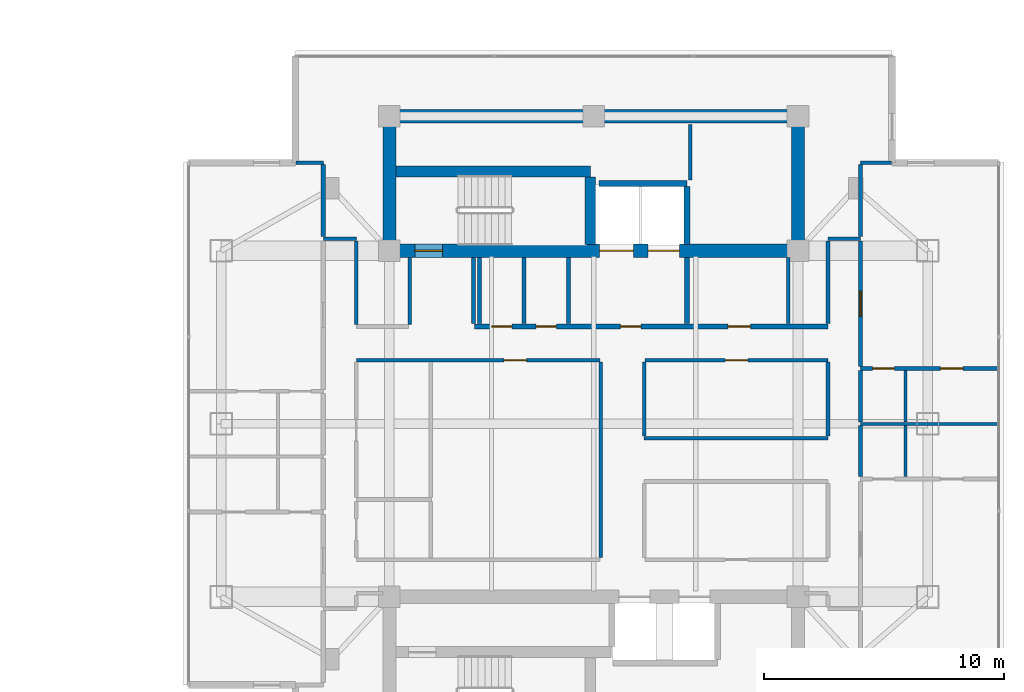
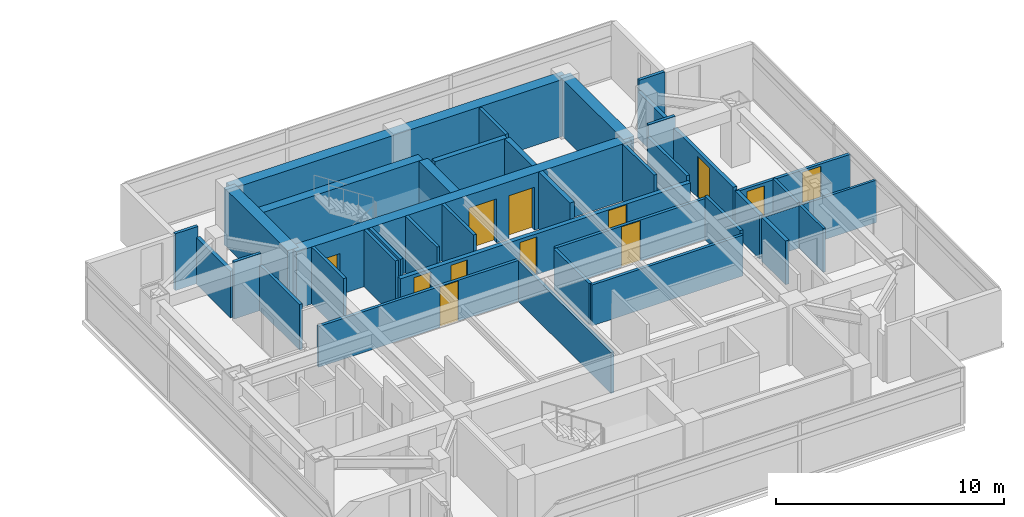
# One storey, part 17 of 24: 38 walls, 12 doors, 12 openings.
"""IFC4 building model written with IfcOpenShell, lengths in metres."""

from ifc_helpers import new_model, si_unit, direction, frame, frame_2d, origin, place, context, subcontext, project, spatial, rectangle, extrude, material, layer, layer_set, type_object, element, fill, save


model = new_model("IFC4")

# Units and contexts
model_context = context("Model", 3, precision=1e-05, world=origin(), true_north=direction((0.0, 1.0)))
body_context = subcontext(model_context, "Body", "Model", "MODEL_VIEW")
ifc_project = project(units=[si_unit("LENGTHUNIT", "METRE"), si_unit("AREAUNIT", "SQUARE_METRE"), si_unit("VOLUMEUNIT", "CUBIC_METRE"), si_unit("PLANEANGLEUNIT", "RADIAN"), si_unit("MASSUNIT", "GRAM", prefix="KILO")], contexts=[model_context])

# Site, building, storey
site_placement = place(None, origin())
site = spatial("IfcSite", under=ifc_project, at=site_placement, CompositionType="ELEMENT")
building_placement = place(site_placement, origin())
building = spatial("IfcBuilding", under=site, at=building_placement, Name="Mirazonda Arch Towers", CompositionType="ELEMENT")
storey_placement = place(building_placement, frame((0.0, 0.0, 190.14990234375)))
storey = spatial("IfcBuildingStorey", under=building, at=storey_placement, Name="L54", CompositionType="ELEMENT", Elevation=190.14990234375)

# Walls
ifc_material_1 = material(Name="Concrete C50/60", Category="concrete")
ifc_layer_1 = layer(ifc_material_1, 0.449951171875, Name="WALL-CORE-450")
ifc_layer_set_1 = layer_set([ifc_layer_1], Name="Concrete C50/60")
wall_type_1 = type_object("IfcWallType", Name="WALL-CORE-450", PredefinedType="SHEAR", material=ifc_layer_set_1)
wall_1_placement = place(storey_placement, frame((68.27001953125, 38.5, 0.0), z_axis=(0.0, 0.0, 1.0), x_axis=(1.0, 0.0, 0.0)))
element("IfcWall", 1, at=wall_1_placement, inside=storey, type_object=wall_type_1, Name="L54 Stair Core Shear Wall 052", PredefinedType="SHEAR", context=body_context, shape_type="SweptSolid", body=[
    extrude(rectangle(XDim=8.090087890625, YDim=0.449951171875, at=frame_2d((4.044921875, 0.0))), origin(), (0.0, 0.0, 1.0), 3.050048828125),
])
wall_2_placement = place(storey_placement, frame((76.360107421875, 35.469970703125, 0.0), z_axis=(0.0, 0.0, 1.0), x_axis=(0.0, 1.0, 0.0)))
element("IfcWall", 2, at=wall_2_placement, inside=storey, type_object=wall_type_1, Name="L54 Stair Core Shear Wall 139", PredefinedType="SHEAR", context=body_context, shape_type="SweptSolid", body=[
    extrude(rectangle(XDim=2.794921875, YDim=0.449951171875, at=frame_2d((1.3974609375, 0.0))), origin(), (0.0, 0.0, 1.0), 3.050048828125),
])
ifc_layer_2 = layer(ifc_material_1, 0.550048828125, Name="WALL-CORE-550")
ifc_layer_set_2 = layer_set([ifc_layer_2], Name="Concrete C50/60")
wall_type_2 = type_object("IfcWallType", Name="WALL-CORE-550", PredefinedType="SHEAR", material=ifc_layer_set_2)
wall_3_placement = place(storey_placement, frame((68.0, 40.800048828125, 0.0), z_axis=(0.0, 0.0, 1.0), x_axis=(1.0, 0.0, 0.0)))
element("IfcWall", 3, at=wall_3_placement, inside=storey, type_object=wall_type_2, Name="L54 T2N-N Core Shear Wall", PredefinedType="SHEAR", context=body_context, shape_type="SweptSolid", body=[
    extrude(rectangle(XDim=17.0, YDim=0.550048828125, at=frame_2d((8.5, 0.0))), origin(), (0.0, 0.0, 1.0), 3.050048828125),
])
for number, where, z_axis, x_axis, name in (
    (4, (68.0, 35.199951171875, 0.0), (0.0, 0.0, 1.0), (0.0, 1.0, 0.0), "L54 T2N-W Core Shear Wall"),
    (5, (85.0, 35.199951171875, 0.0), (0.0, 0.0, 1.0), (0.0, 1.0, 0.0), "L54 T2N-E Core Shear Wall"),
):
    element("IfcWall", number, at=place(storey_placement, frame(where, z_axis=z_axis, x_axis=x_axis)), inside=storey, type_object=wall_type_2, Name=name, PredefinedType="SHEAR", context=body_context, shape_type="SweptSolid", body=[
        extrude(rectangle(XDim=5.60009765625, YDim=0.550048828125, at=frame_2d((2.800048828125, 0.0))), origin(), (0.0, 0.0, 1.0), 3.050048828125),
    ])

# Wall, openings, doors
wall_4_placement = place(storey_placement, frame((68.0, 35.199951171875, 0.0), z_axis=(0.0, 0.0, 1.0), x_axis=(1.0, 0.0, 0.0)))
wall_4 = element("IfcWall", 6, at=wall_4_placement, inside=storey, type_object=wall_type_2, Name="L54 T2N-S Core Shear Wall", PredefinedType="SHEAR", context=body_context, shape_type="SweptSolid", body=[
    extrude(rectangle(XDim=17.0, YDim=0.550048828125, at=frame_2d((8.5, 0.0))), origin(), (0.0, 0.0, 1.0), 3.050048828125),
])
opening_1_placement = place(wall_4_placement, frame((1.06005859375, 0.0, 0.0)))
opening_1 = element("IfcOpeningElement", 7, at=opening_1_placement, cuts=wall_4, Name="Opening DR-135", PredefinedType="OPENING", context=body_context, shape_type="SweptSolid", body=[
    extrude(rectangle(XDim=1.14990234375, YDim=2.199951171875, at=frame_2d((0.574951171875, 1.10009765625))), frame((0.0, 0.284912109375, 0.0), z_axis=(0.0, -1.0, 0.0), x_axis=(1.0, 0.0, 0.0)), (0.0, 0.0, 1.0), 0.570068359375),
])
opening_2_placement = place(wall_4_placement, frame((8.75, 0.0, 0.0)))
opening_2 = element("IfcOpeningElement", 8, at=opening_2_placement, cuts=wall_4, Name="Opening LD-112", PredefinedType="OPENING", context=body_context, shape_type="SweptSolid", body=[
    extrude(rectangle(XDim=1.39990234375, YDim=2.35009765625, at=frame_2d((0.699951171875, 1.175048828125))), frame((0.0, 0.284912109375, 0.0), z_axis=(0.0, -1.0, 0.0), x_axis=(1.0, 0.0, 0.0)), (0.0, 0.0, 1.0), 0.570068359375),
])
opening_3_placement = place(wall_4_placement, frame((10.77001953125, 0.0, 0.0)))
opening_3 = element("IfcOpeningElement", 9, at=opening_3_placement, cuts=wall_4, Name="Opening LD-111", PredefinedType="OPENING", context=body_context, shape_type="SweptSolid", body=[
    extrude(rectangle(XDim=1.300048828125, YDim=2.300048828125, at=frame_2d((0.64990234375, 1.14990234375))), frame((0.0, 0.284912109375, 0.0), z_axis=(0.0, -1.0, 0.0), x_axis=(1.0, 0.0, 0.0)), (0.0, 0.0, 1.0), 0.570068359375),
])
ifc_material_2 = material(Name="Architectural Brushed Steel S355", Category="steel")
door_type_1 = type_object("IfcDoorType", Name="DOOR-LIFT-FFL-1400", OperationType="NOTDEFINED", PredefinedType="DOOR", material=ifc_material_2)
door_1_placement = place(opening_2_placement, origin())
door_1 = element("IfcDoor", 10, at=door_1_placement, inside=storey, type_object=door_type_1, Name="L54 Lift Landing Sliding Door FFL-T2", OperationType="DOUBLE_DOOR_SLIDING", OverallHeight=2.35009765625, OverallWidth=1.39990234375, PredefinedType="DOOR", context=body_context, shape_type="SweptSolid", body=[
    extrude(rectangle(XDim=1.39990234375, YDim=2.35009765625, at=frame_2d((0.699951171875, 1.175048828125))), frame((0.0, 0.02490234375, 0.0), z_axis=(0.0, -1.0, 0.0), x_axis=(1.0, 0.0, 0.0)), (0.0, 0.0, 1.0), 0.050048828125),
])
fill(opening_2, door_1)
door_type_2 = type_object("IfcDoorType", Name="DOOR-LIFT-LAND-1300", OperationType="NOTDEFINED", PredefinedType="DOOR", material=ifc_material_2)
door_2_placement = place(opening_3_placement, origin())
door_2 = element("IfcDoor", 11, at=door_2_placement, inside=storey, type_object=door_type_2, Name="L54 Lift Landing Sliding Door SVL-T2", OperationType="DOUBLE_DOOR_SLIDING", OverallHeight=2.300048828125, OverallWidth=1.300048828125, PredefinedType="DOOR", context=body_context, shape_type="SweptSolid", body=[
    extrude(rectangle(XDim=1.300048828125, YDim=2.300048828125, at=frame_2d((0.64990234375, 1.14990234375))), frame((0.0, 0.02490234375, 0.0), z_axis=(0.0, -1.0, 0.0), x_axis=(1.0, 0.0, 0.0)), (0.0, 0.0, 1.0), 0.050048828125),
])
fill(opening_3, door_2)
door_type_3 = type_object("IfcDoorType", Name="DOOR-STAIR-FD90-1150", OperationType="NOTDEFINED", PredefinedType="DOOR", material=ifc_material_2)
door_3_placement = place(opening_1_placement, origin())
door_3 = element("IfcDoor", 12, at=door_3_placement, inside=storey, type_object=door_type_3, Name="L54 East Protected Stair North Door", OperationType="SINGLE_SWING_LEFT", OverallHeight=2.199951171875, OverallWidth=1.14990234375, PredefinedType="DOOR", context=body_context, shape_type="SweptSolid", body=[
    extrude(rectangle(XDim=1.14990234375, YDim=2.199951171875, at=frame_2d((0.574951171875, 1.10009765625))), frame((0.0, 0.02490234375, 0.0), z_axis=(0.0, -1.0, 0.0), x_axis=(1.0, 0.0, 0.0)), (0.0, 0.0, 1.0), 0.050048828125),
])
fill(opening_1, door_3)

ifc_material_3 = material(Name="Concrete C40/50", Category="concrete")
ifc_layer_3 = layer(ifc_material_3, 0.219970703125, Name="WALL-FFL-220")
ifc_layer_set_3 = layer_set([ifc_layer_3], Name="Concrete C40/50")
wall_type_3 = type_object("IfcWallType", Name="WALL-FFL-220", PredefinedType="SOLIDWALL", material=ifc_layer_set_3)
wall_5_placement = place(storey_placement, frame((71.550048828125, 32.050048828125, 0.0), z_axis=(0.0, 0.0, 1.0), x_axis=(1.0, 0.0, 0.0)))
wall_5 = element("IfcWall", 13, at=wall_5_placement, inside=storey, type_object=wall_type_3, Name="L54 Interior Partition 043", PredefinedType="SOLIDWALL", context=body_context, shape_type="SweptSolid", body=[
    extrude(rectangle(XDim=14.699951171875, YDim=0.219970703125, at=frame_2d((7.35009765625, 0.0))), origin(), (0.0, 0.0, 1.0), 2.18603515625),
])
opening_4_placement = place(wall_5_placement, frame((6.06494140625, 0.0, 0.0)))
opening_4 = element("IfcOpeningElement", 14, at=opening_4_placement, cuts=wall_5, Name="Opening DR-128", PredefinedType="OPENING", context=body_context, shape_type="SweptSolid", body=[
    extrude(rectangle(XDim=0.85009765625, YDim=2.010009765625, at=frame_2d((0.425048828125, 1.0048828125))), frame((0.0, 0.119873046875, 0.0), z_axis=(0.0, -1.0, 0.0), x_axis=(1.0, 0.0, 0.0)), (0.0, 0.0, 1.0), 0.239990234375),
])
opening_5_placement = place(wall_5_placement, frame((10.534912109375, 0.0, 0.0)))
opening_5 = element("IfcOpeningElement", 15, at=opening_5_placement, cuts=wall_5, Name="Opening DR-104", PredefinedType="OPENING", context=body_context, shape_type="SweptSolid", body=[
    extrude(rectangle(XDim=0.949951171875, YDim=2.14990234375, at=frame_2d((0.47509765625, 1.074951171875))), frame((0.0, 0.119873046875, 0.0), z_axis=(0.0, -1.0, 0.0), x_axis=(1.0, 0.0, 0.0)), (0.0, 0.0, 1.0), 0.239990234375),
])
opening_6_placement = place(wall_5_placement, frame((0.699951171875, 0.0, 0.0)))
opening_6 = element("IfcOpeningElement", 16, at=opening_6_placement, cuts=wall_5, Name="Opening DR-128", PredefinedType="OPENING", context=body_context, shape_type="SweptSolid", body=[
    extrude(rectangle(XDim=0.85009765625, YDim=2.010009765625, at=frame_2d((0.425048828125, 1.0048828125))), frame((0.0, 0.119873046875, 0.0), z_axis=(0.0, -1.0, 0.0), x_axis=(1.0, 0.0, 0.0)), (0.0, 0.0, 1.0), 0.239990234375),
])
opening_7_placement = place(wall_5_placement, frame((2.550048828125, 0.0, 0.0)))
opening_7 = element("IfcOpeningElement", 17, at=opening_7_placement, cuts=wall_5, Name="Opening DR-128", PredefinedType="OPENING", context=body_context, shape_type="SweptSolid", body=[
    extrude(rectangle(XDim=0.85009765625, YDim=2.010009765625, at=frame_2d((0.425048828125, 1.0048828125))), frame((0.0, 0.119873046875, 0.0), z_axis=(0.0, -1.0, 0.0), x_axis=(1.0, 0.0, 0.0)), (0.0, 0.0, 1.0), 0.239990234375),
])
door_type_4 = type_object("IfcDoorType", Name="DOOR-RISER-FD60-850", OperationType="NOTDEFINED", PredefinedType="DOOR", material=ifc_material_2)
door_4_placement = place(opening_4_placement, origin())
door_4 = element("IfcDoor", 18, at=door_4_placement, inside=storey, type_object=door_type_4, Name="L54 East Firefighting Lift Lobby Door", OperationType="SINGLE_SWING_RIGHT", OverallHeight=2.010009765625, OverallWidth=0.85009765625, PredefinedType="DOOR", context=body_context, shape_type="SweptSolid", body=[
    extrude(rectangle(XDim=0.85009765625, YDim=2.010009765625, at=frame_2d((0.425048828125, 1.0048828125))), frame((0.0, 0.02490234375, 0.0), z_axis=(0.0, -1.0, 0.0), x_axis=(1.0, 0.0, 0.0)), (0.0, 0.0, 1.0), 0.050048828125),
])
fill(opening_4, door_4)
door_5_placement = place(opening_6_placement, origin())
door_5 = element("IfcDoor", 19, at=door_5_placement, inside=storey, type_object=door_type_4, Name="L54 Tower 2 Electrical Room Door", OperationType="SINGLE_SWING_RIGHT", OverallHeight=2.010009765625, OverallWidth=0.85009765625, PredefinedType="DOOR", context=body_context, shape_type="SweptSolid", body=[
    extrude(rectangle(XDim=0.85009765625, YDim=2.010009765625, at=frame_2d((0.425048828125, 1.0048828125))), frame((0.0, 0.02490234375, 0.0), z_axis=(0.0, -1.0, 0.0), x_axis=(1.0, 0.0, 0.0)), (0.0, 0.0, 1.0), 0.050048828125),
])
fill(opening_6, door_5)
door_6_placement = place(opening_7_placement, origin())
door_6 = element("IfcDoor", 20, at=door_6_placement, inside=storey, type_object=door_type_4, Name="L54 Tower 2 Cleaners Store Door", OperationType="SINGLE_SWING_LEFT", OverallHeight=2.010009765625, OverallWidth=0.85009765625, PredefinedType="DOOR", context=body_context, shape_type="SweptSolid", body=[
    extrude(rectangle(XDim=0.85009765625, YDim=2.010009765625, at=frame_2d((0.425048828125, 1.0048828125))), frame((0.0, 0.02490234375, 0.0), z_axis=(0.0, -1.0, 0.0), x_axis=(1.0, 0.0, 0.0)), (0.0, 0.0, 1.0), 0.050048828125),
])
fill(opening_7, door_6)
door_type_5 = type_object("IfcDoorType", Name="DOOR-ROOM-950", OperationType="NOTDEFINED", PredefinedType="DOOR", material=ifc_material_2)
door_7_placement = place(opening_5_placement, origin())
door_7 = element("IfcDoor", 21, at=door_7_placement, inside=storey, type_object=door_type_5, Name="L54 East Sky Reading Library Door", OperationType="SINGLE_SWING_LEFT", OverallHeight=2.14990234375, OverallWidth=0.949951171875, PredefinedType="DOOR", context=body_context, shape_type="SweptSolid", body=[
    extrude(rectangle(XDim=0.949951171875, YDim=2.14990234375, at=frame_2d((0.47509765625, 1.074951171875))), frame((0.0, 0.02490234375, 0.0), z_axis=(0.0, -1.0, 0.0), x_axis=(1.0, 0.0, 0.0)), (0.0, 0.0, 1.0), 0.050048828125),
])
fill(opening_5, door_7)

# Walls
wall_6_placement = place(storey_placement, frame((80.3798828125, 32.169921875, 0.0), z_axis=(0.0, 0.0, 1.0), x_axis=(0.0, 1.0, 0.0)))
element("IfcWall", 22, at=wall_6_placement, inside=storey, type_object=wall_type_3, Name="L54 Interior Partition 144", PredefinedType="SOLIDWALL", context=body_context, shape_type="SweptSolid", body=[
    extrude(rectangle(XDim=2.760009765625, YDim=0.219970703125, at=frame_2d((1.3798828125, 0.0))), origin(), (0.0, 0.0, 1.0), 3.050048828125),
])
ifc_material_4 = material(Name="Fire-Rated Gypsum Stud Partition")
ifc_layer_4 = layer(ifc_material_4, 0.14990234375, Name="WALL-PART-CORR-150")
ifc_layer_set_4 = layer_set([ifc_layer_4], Name="Fire-Rated Gypsum Stud Partition")
wall_type_4 = type_object("IfcWallType", Name="WALL-PART-CORR-150", PredefinedType="PARTITIONING", material=ifc_layer_set_4)
wall_7_placement = place(storey_placement, frame((78.60009765625, 27.39990234375, 0.0), z_axis=(0.0, 0.0, 1.0), x_axis=(1.0, 0.0, 0.0)))
element("IfcWall", 23, at=wall_7_placement, inside=storey, type_object=wall_type_4, Name="L54 Interior Partition 032", PredefinedType="PARTITIONING", context=body_context, shape_type="SweptSolid", body=[
    extrude(rectangle(XDim=7.64990234375, YDim=0.14990234375, at=frame_2d((3.824951171875, 0.0))), origin(), (0.0, 0.0, 1.0), 2.18603515625),
])

# Wall, openings, doors
wall_8_placement = place(storey_placement, frame((87.60009765625, 30.300048828125, 0.0), z_axis=(0.0, 0.0, 1.0), x_axis=(1.0, 0.0, 0.0)))
wall_8 = element("IfcWall", 24, at=wall_8_placement, inside=storey, type_object=wall_type_4, Name="L54 Interior Partition 038", PredefinedType="PARTITIONING", context=body_context, shape_type="SweptSolid", body=[
    extrude(rectangle(XDim=5.7529296875, YDim=0.14990234375, at=frame_2d((2.87646484375, 0.0))), origin(), (0.0, 0.0, 1.0), 2.26904296875),
])
opening_8_placement = place(wall_8_placement, frame((3.321533203125, 0.0, 0.0)))
opening_8 = element("IfcOpeningElement", 25, at=opening_8_placement, cuts=wall_8, Name="Opening DR-104", PredefinedType="OPENING", context=body_context, shape_type="SweptSolid", body=[
    extrude(rectangle(XDim=0.949951171875, YDim=2.14990234375, at=frame_2d((0.47509765625, 1.074951171875))), frame((0.0, 0.0849609375, 0.0), z_axis=(0.0, -1.0, 0.0), x_axis=(1.0, 0.0, 0.0)), (0.0, 0.0, 1.0), 0.169921875),
])
opening_9_placement = place(wall_8_placement, frame((0.510009765625, 0.0, 0.0)))
opening_9 = element("IfcOpeningElement", 26, at=opening_9_placement, cuts=wall_8, Name="Opening DR-120", PredefinedType="OPENING", context=body_context, shape_type="SweptSolid", body=[
    extrude(rectangle(XDim=0.89990234375, YDim=2.10009765625, at=frame_2d((0.449951171875, 1.050048828125))), frame((0.0, 0.0849609375, 0.0), z_axis=(0.0, -1.0, 0.0), x_axis=(1.0, 0.0, 0.0)), (0.0, 0.0, 1.0), 0.169921875),
])
door_8_placement = place(opening_8_placement, origin())
door_8 = element("IfcDoor", 27, at=door_8_placement, inside=storey, type_object=door_type_5, Name="L54 Studio 2 Galley Kitchen Door", OperationType="SINGLE_SWING_RIGHT", OverallHeight=2.14990234375, OverallWidth=0.949951171875, PredefinedType="DOOR", context=body_context, shape_type="SweptSolid", body=[
    extrude(rectangle(XDim=0.949951171875, YDim=2.14990234375, at=frame_2d((0.47509765625, 1.074951171875))), frame((0.0, 0.02490234375, 0.0), z_axis=(0.0, -1.0, 0.0), x_axis=(1.0, 0.0, 0.0)), (0.0, 0.0, 1.0), 0.050048828125),
])
fill(opening_8, door_8)
door_type_6 = type_object("IfcDoorType", Name="DOOR-WC-900", OperationType="NOTDEFINED", PredefinedType="DOOR", material=ifc_material_2)
door_9_placement = place(opening_9_placement, origin())
door_9 = element("IfcDoor", 28, at=door_9_placement, inside=storey, type_object=door_type_6, Name="L54 Studio 2 Bathroom Door", OperationType="SINGLE_SWING_LEFT", OverallHeight=2.10009765625, OverallWidth=0.89990234375, PredefinedType="DOOR", context=body_context, shape_type="SweptSolid", body=[
    extrude(rectangle(XDim=0.89990234375, YDim=2.10009765625, at=frame_2d((0.449951171875, 1.050048828125))), frame((0.0, 0.02490234375, 0.0), z_axis=(0.0, -1.0, 0.0), x_axis=(1.0, 0.0, 0.0)), (0.0, 0.0, 1.0), 0.050048828125),
])
fill(opening_9, door_9)

# Wall, opening, door
wall_9_placement = place(storey_placement, frame((66.6201171875, 30.64990234375, 0.0), z_axis=(0.0, 0.0, 1.0), x_axis=(1.0, 0.0, 0.0)))
wall_9 = element("IfcWall", 29, at=wall_9_placement, inside=storey, type_object=wall_type_4, Name="L54 Interior Partition 039", PredefinedType="PARTITIONING", context=body_context, shape_type="SweptSolid", body=[
    extrude(rectangle(XDim=10.139892578125, YDim=0.14990234375, at=frame_2d((5.06982421875, 0.0))), origin(), (0.0, 0.0, 1.0), 2.18603515625),
])
opening_10_placement = place(wall_9_placement, frame((6.139892578125, 0.0, 0.0)))
opening_10 = element("IfcOpeningElement", 30, at=opening_10_placement, cuts=wall_9, Name="Opening DR-104", PredefinedType="OPENING", context=body_context, shape_type="SweptSolid", body=[
    extrude(rectangle(XDim=0.949951171875, YDim=2.14990234375, at=frame_2d((0.47509765625, 1.074951171875))), frame((0.0, 0.0849609375, 0.0), z_axis=(0.0, -1.0, 0.0), x_axis=(1.0, 0.0, 0.0)), (0.0, 0.0, 1.0), 0.169921875),
])
door_10_placement = place(opening_10_placement, origin())
door_10 = element("IfcDoor", 31, at=door_10_placement, inside=storey, type_object=door_type_5, Name="L54 L54 East Courtyard Study Door", OperationType="SINGLE_SWING_LEFT", OverallHeight=2.14990234375, OverallWidth=0.949951171875, PredefinedType="DOOR", context=body_context, shape_type="SweptSolid", body=[
    extrude(rectangle(XDim=0.949951171875, YDim=2.14990234375, at=frame_2d((0.47509765625, 1.074951171875))), frame((0.0, 0.02490234375, 0.0), z_axis=(0.0, -1.0, 0.0), x_axis=(1.0, 0.0, 0.0)), (0.0, 0.0, 1.0), 0.050048828125),
])
fill(opening_10, door_10)

wall_10_placement = place(storey_placement, frame((78.639892578125, 30.64990234375, 0.0), z_axis=(0.0, 0.0, 1.0), x_axis=(1.0, 0.0, 0.0)))
wall_10 = element("IfcWall", 32, at=wall_10_placement, inside=storey, type_object=wall_type_4, Name="L54 Interior Partition 040", PredefinedType="PARTITIONING", context=body_context, shape_type="SweptSolid", body=[
    extrude(rectangle(XDim=7.610107421875, YDim=0.14990234375, at=frame_2d((3.80517578125, 0.0))), origin(), (0.0, 0.0, 1.0), 2.18603515625),
])
opening_11_placement = place(wall_10_placement, frame((3.330078125, 0.0, 0.0)))
opening_11 = element("IfcOpeningElement", 33, at=opening_11_placement, cuts=wall_10, Name="Opening DR-104", PredefinedType="OPENING", context=body_context, shape_type="SweptSolid", body=[
    extrude(rectangle(XDim=0.949951171875, YDim=2.14990234375, at=frame_2d((0.47509765625, 1.074951171875))), frame((0.0, 0.0849609375, 0.0), z_axis=(0.0, -1.0, 0.0), x_axis=(1.0, 0.0, 0.0)), (0.0, 0.0, 1.0), 0.169921875),
])
door_11_placement = place(opening_11_placement, origin())
door_11 = element("IfcDoor", 34, at=door_11_placement, inside=storey, type_object=door_type_5, Name="L54 L54 Tower 2 North-East Study Door", OperationType="SINGLE_SWING_LEFT", OverallHeight=2.14990234375, OverallWidth=0.949951171875, PredefinedType="DOOR", context=body_context, shape_type="SweptSolid", body=[
    extrude(rectangle(XDim=0.949951171875, YDim=2.14990234375, at=frame_2d((0.47509765625, 1.074951171875))), frame((0.0, 0.02490234375, 0.0), z_axis=(0.0, -1.0, 0.0), x_axis=(1.0, 0.0, 0.0)), (0.0, 0.0, 1.0), 0.050048828125),
])
fill(opening_11, door_11)

# Walls
wall_11_placement = place(storey_placement, frame((65.25, 35.699951171875, 0.0), z_axis=(0.0, 0.0, 1.0), x_axis=(1.0, 0.0, 0.0)))
element("IfcWall", 35, at=wall_11_placement, inside=storey, type_object=wall_type_4, Name="L54 Interior Partition 049", PredefinedType="PARTITIONING", context=body_context, shape_type="SweptSolid", body=[
    extrude(rectangle(XDim=1.3701171875, YDim=0.14990234375, at=frame_2d((0.68505859375, 0.0))), origin(), (0.0, 0.0, 1.0), 3.050048828125),
])
wall_12_placement = place(storey_placement, frame((86.25, 35.699951171875, 0.0), z_axis=(0.0, 0.0, 1.0), x_axis=(1.0, 0.0, 0.0)))
element("IfcWall", 36, at=wall_12_placement, inside=storey, type_object=wall_type_4, Name="L54 Interior Partition 050", PredefinedType="PARTITIONING", context=body_context, shape_type="SweptSolid", body=[
    extrude(rectangle(XDim=1.35009765625, YDim=0.14990234375, at=frame_2d((0.675048828125, 0.0))), origin(), (0.0, 0.0, 1.0), 3.050048828125),
])
wall_13_placement = place(storey_placement, frame((64.106201171875, 38.864990234375, 0.0), z_axis=(0.0, 0.0, 1.0), x_axis=(1.0, 0.0, 0.0)))
element("IfcWall", 37, at=wall_13_placement, inside=storey, type_object=wall_type_4, Name="L54 Interior Partition 053", PredefinedType="PARTITIONING", context=body_context, shape_type="SweptSolid", body=[
    extrude(rectangle(XDim=1.143798828125, YDim=0.14990234375, at=frame_2d((0.57177734375, 0.0))), origin(), (0.0, 0.0, 1.0), 3.050048828125),
])
wall_14_placement = place(storey_placement, frame((87.60009765625, 38.864990234375, 0.0), z_axis=(0.0, 0.0, 1.0), x_axis=(1.0, 0.0, 0.0)))
element("IfcWall", 38, at=wall_14_placement, inside=storey, type_object=wall_type_4, Name="L54 Interior Partition 054", PredefinedType="PARTITIONING", context=body_context, shape_type="SweptSolid", body=[
    extrude(rectangle(XDim=1.293701171875, YDim=0.14990234375, at=frame_2d((0.64697265625, 0.0))), origin(), (0.0, 0.0, 1.0), 3.050048828125),
])
wall_15_placement = place(storey_placement, frame((66.6201171875, 32.135009765625, 0.0), z_axis=(0.0, 0.0, 1.0), x_axis=(0.0, 1.0, 0.0)))
element("IfcWall", 39, at=wall_15_placement, inside=storey, type_object=wall_type_4, Name="L54 Interior Partition 130", PredefinedType="PARTITIONING", context=body_context, shape_type="SweptSolid", body=[
    extrude(rectangle(XDim=3.47998046875, YDim=0.14990234375, at=frame_2d((1.739990234375, 0.0))), origin(), (0.0, 0.0, 1.0), 2.442138671875),
])
wall_16_placement = place(storey_placement, frame((68.85009765625, 32.135009765625, 0.0), z_axis=(0.0, 0.0, 1.0), x_axis=(0.0, 1.0, 0.0)))
element("IfcWall", 40, at=wall_16_placement, inside=storey, type_object=wall_type_4, Name="L54 Interior Partition 131", PredefinedType="PARTITIONING", context=body_context, shape_type="SweptSolid", body=[
    extrude(rectangle(XDim=2.794921875, YDim=0.14990234375, at=frame_2d((1.3974609375, 0.0))), origin(), (0.0, 0.0, 1.0), 3.050048828125),
])
for number, where, z_axis, x_axis, name in (
    (41, (71.5, 32.169921875, 0.0), (0.0, 0.0, 1.0), (0.0, 1.0, 0.0), "L54 Interior Partition 134"),
    (42, (71.75, 32.169921875, 0.0), (0.0, 0.0, 1.0), (0.0, 1.0, 0.0), "L54 Interior Partition 135"),
    (43, (73.60009765625, 32.169921875, 0.0), (0.0, 0.0, 1.0), (0.0, 1.0, 0.0), "L54 Interior Partition 136"),
    (44, (75.449951171875, 32.169921875, 0.0), (0.0, 0.0, 1.0), (0.0, 1.0, 0.0), "L54 Interior Partition 137"),
):
    element("IfcWall", number, at=place(storey_placement, frame(where, z_axis=z_axis, x_axis=x_axis)), inside=storey, type_object=wall_type_4, Name=name, PredefinedType="PARTITIONING", context=body_context, shape_type="SweptSolid", body=[
        extrude(rectangle(XDim=2.760009765625, YDim=0.14990234375, at=frame_2d((1.3798828125, 0.0))), origin(), (0.0, 0.0, 1.0), 3.050048828125),
    ])
wall_17_placement = place(storey_placement, frame((76.800048828125, 22.43505859375, 0.0), z_axis=(0.0, 0.0, 1.0), x_axis=(0.0, 1.0, 0.0)))
element("IfcWall", 45, at=wall_17_placement, inside=storey, type_object=wall_type_4, Name="L54 Interior Partition 140", PredefinedType="PARTITIONING", context=body_context, shape_type="SweptSolid", body=[
    extrude(rectangle(XDim=8.1298828125, YDim=0.14990234375, at=frame_2d((4.06494140625, 0.0))), origin(), (0.0, 0.0, 1.0), 2.18603515625),
])
wall_18_placement = place(storey_placement, frame((78.60009765625, 27.485107421875, 0.0), z_axis=(0.0, 0.0, 1.0), x_axis=(0.0, 1.0, 0.0)))
element("IfcWall", 46, at=wall_18_placement, inside=storey, type_object=wall_type_4, Name="L54 Interior Partition 143", PredefinedType="PARTITIONING", context=body_context, shape_type="SweptSolid", body=[
    extrude(rectangle(XDim=3.079833984375, YDim=0.14990234375, at=frame_2d((1.5400390625, 0.0))), origin(), (0.0, 0.0, 1.0), 2.18603515625),
])
wall_19_placement = place(storey_placement, frame((80.52001953125, 38.135009765625, 0.0), z_axis=(0.0, 0.0, 1.0), x_axis=(0.0, 1.0, 0.0)))
element("IfcWall", 47, at=wall_19_placement, inside=storey, type_object=wall_type_4, Name="L54 Interior Partition 146", PredefinedType="PARTITIONING", context=body_context, shape_type="SweptSolid", body=[
    extrude(rectangle(XDim=2.31494140625, YDim=0.14990234375, at=frame_2d((1.157470703125, 0.0))), origin(), (0.0, 0.0, 1.0), 3.050048828125),
])
wall_20_placement = place(storey_placement, frame((84.60009765625, 32.169921875, 0.0), z_axis=(0.0, 0.0, 1.0), x_axis=(0.0, 1.0, 0.0)))
element("IfcWall", 48, at=wall_20_placement, inside=storey, type_object=wall_type_4, Name="L54 Interior Partition 148", PredefinedType="PARTITIONING", context=body_context, shape_type="SweptSolid", body=[
    extrude(rectangle(XDim=2.760009765625, YDim=0.14990234375, at=frame_2d((1.3798828125, 0.0))), origin(), (0.0, 0.0, 1.0), 3.050048828125),
])
wall_21_placement = place(storey_placement, frame((86.25, 27.485107421875, 0.0), z_axis=(0.0, 0.0, 1.0), x_axis=(0.0, 1.0, 0.0)))
element("IfcWall", 49, at=wall_21_placement, inside=storey, type_object=wall_type_4, Name="L54 Interior Partition 151", PredefinedType="PARTITIONING", context=body_context, shape_type="SweptSolid", body=[
    extrude(rectangle(XDim=3.079833984375, YDim=0.14990234375, at=frame_2d((1.5400390625, 0.0))), origin(), (0.0, 0.0, 1.0), 2.34619140625),
])
wall_22_placement = place(storey_placement, frame((86.25, 32.169921875, 0.0), z_axis=(0.0, 0.0, 1.0), x_axis=(0.0, 1.0, 0.0)))
element("IfcWall", 50, at=wall_22_placement, inside=storey, type_object=wall_type_4, Name="L54 Interior Partition 152", PredefinedType="PARTITIONING", context=body_context, shape_type="SweptSolid", body=[
    extrude(rectangle(XDim=3.445068359375, YDim=0.14990234375, at=frame_2d((1.72265625, 0.0))), origin(), (0.0, 0.0, 1.0), 2.442138671875),
])
ifc_material_5 = material(Name="Fire-Rated Gypsum Twin-Stud Assembly")
ifc_layer_5 = layer(ifc_material_5, 0.179931640625, Name="WALL-PART-DEMISE-180")
ifc_layer_set_5 = layer_set([ifc_layer_5], Name="Fire-Rated Gypsum Twin-Stud Assembly")
wall_type_5 = type_object("IfcWallType", Name="WALL-PART-DEMISE-180", PredefinedType="PARTITIONING", material=ifc_layer_set_5)
wall_23_placement = place(storey_placement, frame((65.25, 35.784912109375, 0.0), z_axis=(0.0, 0.0, 1.0), x_axis=(0.0, 1.0, 0.0)))
element("IfcWall", 51, at=wall_23_placement, inside=storey, type_object=wall_type_5, Name="L54 Interior Partition 126", PredefinedType="PARTITIONING", context=body_context, shape_type="SweptSolid", body=[
    extrude(rectangle(XDim=2.9951171875, YDim=0.179931640625, at=frame_2d((1.49755859375, 0.0))), origin(), (0.0, 0.0, 1.0), 2.4931640625),
])
wall_24_placement = place(storey_placement, frame((87.60009765625, 25.800048828125, 0.0), z_axis=(0.0, 0.0, 1.0), x_axis=(0.0, 1.0, 0.0)))
element("IfcWall", 52, at=wall_24_placement, inside=storey, type_object=wall_type_5, Name="L54 Interior Partition 155", PredefinedType="PARTITIONING", context=body_context, shape_type="SweptSolid", body=[
    extrude(rectangle(XDim=2.12744140625, YDim=0.179931640625, at=frame_2d((1.063720703125, 0.0))), origin(), (0.0, 0.0, 1.0), 2.34619140625),
])
wall_25_placement = place(storey_placement, frame((87.60009765625, 28.072509765625, 0.0), z_axis=(0.0, 0.0, 1.0), x_axis=(0.0, 1.0, 0.0)))
element("IfcWall", 53, at=wall_25_placement, inside=storey, type_object=wall_type_5, Name="L54 Interior Partition 156", PredefinedType="PARTITIONING", context=body_context, shape_type="SweptSolid", body=[
    extrude(rectangle(XDim=2.142578125, YDim=0.179931640625, at=frame_2d((1.0712890625, 0.0))), origin(), (0.0, 0.0, 1.0), 2.34619140625),
])

# Wall, opening, door
wall_26_placement = place(storey_placement, frame((87.60009765625, 30.385009765625, 0.0), z_axis=(0.0, 0.0, 1.0), x_axis=(0.0, 1.0, 0.0)))
wall_26 = element("IfcWall", 54, at=wall_26_placement, inside=storey, type_object=wall_type_5, Name="L54 Interior Partition 157", PredefinedType="PARTITIONING", context=body_context, shape_type="SweptSolid", body=[
    extrude(rectangle(XDim=5.22998046875, YDim=0.179931640625, at=frame_2d((2.614990234375, 0.0))), origin(), (0.0, 0.0, 1.0), 2.442138671875),
])
opening_12_placement = place(wall_26_placement, frame((2.090087890625, 0.0, 0.0)))
opening_12 = element("IfcOpeningElement", 55, at=opening_12_placement, cuts=wall_26, Name="Opening DR-121", PredefinedType="OPENING", context=body_context, shape_type="SweptSolid", body=[
    extrude(rectangle(XDim=1.050048828125, YDim=2.199951171875, at=frame_2d((0.52490234375, 1.10009765625))), frame((0.0, 0.099853515625, 0.0), z_axis=(0.0, -1.0, 0.0), x_axis=(1.0, 0.0, 0.0)), (0.0, 0.0, 1.0), 0.199951171875),
])
door_type_7 = type_object("IfcDoorType", Name="DOOR-SUITE-FD60-1050", OperationType="NOTDEFINED", PredefinedType="DOOR", material=ifc_material_2)
door_12_placement = place(opening_12_placement, origin())
door_12 = element("IfcDoor", 56, at=door_12_placement, inside=storey, type_object=door_type_7, Name="L54 Studio Apartment 2 Living Salon Door", OperationType="SINGLE_SWING_LEFT", OverallHeight=2.199951171875, OverallWidth=1.050048828125, PredefinedType="DOOR", context=body_context, shape_type="SweptSolid", body=[
    extrude(rectangle(XDim=1.050048828125, YDim=2.199951171875, at=frame_2d((0.52490234375, 1.10009765625))), frame((0.0, 0.02490234375, 0.0), z_axis=(0.0, -1.0, 0.0), x_axis=(1.0, 0.0, 0.0)), (0.0, 0.0, 1.0), 0.050048828125),
])
fill(opening_12, door_12)

# Walls
wall_27_placement = place(storey_placement, frame((87.60009765625, 35.784912109375, 0.0), z_axis=(0.0, 0.0, 1.0), x_axis=(0.0, 1.0, 0.0)))
element("IfcWall", 57, at=wall_27_placement, inside=storey, type_object=wall_type_5, Name="L54 Interior Partition 158", PredefinedType="PARTITIONING", context=body_context, shape_type="SweptSolid", body=[
    extrude(rectangle(XDim=2.9951171875, YDim=0.179931640625, at=frame_2d((1.49755859375, 0.0))), origin(), (0.0, 0.0, 1.0), 2.4931640625),
])
ifc_material_6 = material(Name="Acoustic Fire-Rated Gypsum Partition")
ifc_layer_6 = layer(ifc_material_6, 0.125, Name="WALL-PART-UNIT-125")
ifc_layer_set_6 = layer_set([ifc_layer_6], Name="Acoustic Fire-Rated Gypsum Partition")
wall_type_6 = type_object("IfcWallType", Name="WALL-PART-UNIT-125", PredefinedType="PARTITIONING", material=ifc_layer_set_6)
wall_28_placement = place(storey_placement, frame((87.60009765625, 28.0, 0.0), z_axis=(0.0, 0.0, 1.0), x_axis=(1.0, 0.0, 0.0)))
element("IfcWall", 58, at=wall_28_placement, inside=storey, type_object=wall_type_6, Name="L54 Interior Partition 034", PredefinedType="PARTITIONING", context=body_context, shape_type="SweptSolid", body=[
    extrude(rectangle(XDim=5.7529296875, YDim=0.125, at=frame_2d((2.87646484375, 0.0))), origin(), (0.0, 0.0, 1.0), 2.26904296875),
])
wall_29_placement = place(storey_placement, frame((89.47998046875, 25.800048828125, 0.0), z_axis=(0.0, 0.0, 1.0), x_axis=(0.0, 1.0, 0.0)))
element("IfcWall", 59, at=wall_29_placement, inside=storey, type_object=wall_type_6, Name="L54 Interior Partition 159", PredefinedType="PARTITIONING", context=body_context, shape_type="SweptSolid", body=[
    extrude(rectangle(XDim=2.12744140625, YDim=0.125, at=frame_2d((1.063720703125, 0.0))), origin(), (0.0, 0.0, 1.0), 2.34619140625),
])
wall_30_placement = place(storey_placement, frame((89.47998046875, 28.072509765625, 0.0), z_axis=(0.0, 0.0, 1.0), x_axis=(0.0, 1.0, 0.0)))
element("IfcWall", 60, at=wall_30_placement, inside=storey, type_object=wall_type_6, Name="L54 Interior Partition 160", PredefinedType="PARTITIONING", context=body_context, shape_type="SweptSolid", body=[
    extrude(rectangle(XDim=2.142578125, YDim=0.125, at=frame_2d((1.0712890625, 0.0))), origin(), (0.0, 0.0, 1.0), 2.34619140625),
])
ifc_layer_7 = layer(ifc_material_3, 0.25, Name="WALL-SHAFT-250")
ifc_layer_set_7 = layer_set([ifc_layer_7], Name="Concrete C40/50")
wall_type_7 = type_object("IfcWallType", Name="WALL-SHAFT-250", PredefinedType="SOLIDWALL", material=ifc_layer_set_7)
wall_31_placement = place(storey_placement, frame((76.719970703125, 38.0, 0.0), z_axis=(0.0, 0.0, 1.0), x_axis=(1.0, 0.0, 0.0)))
element("IfcWall", 61, at=wall_31_placement, inside=storey, type_object=wall_type_7, Name="L54 Interior Partition 051", PredefinedType="SOLIDWALL", context=body_context, shape_type="SweptSolid", body=[
    extrude(rectangle(XDim=3.659912109375, YDim=0.25, at=frame_2d((1.830078125, 0.0))), origin(), (0.0, 0.0, 1.0), 3.050048828125),
])
wall_32_placement = place(storey_placement, frame((80.3798828125, 35.469970703125, 0.0), z_axis=(0.0, 0.0, 1.0), x_axis=(0.0, 1.0, 0.0)))
element("IfcWall", 62, at=wall_32_placement, inside=storey, type_object=wall_type_7, Name="L54 Interior Partition 145", PredefinedType="SOLIDWALL", context=body_context, shape_type="SweptSolid", body=[
    extrude(rectangle(XDim=2.39501953125, YDim=0.25, at=frame_2d((1.197509765625, 0.0))), origin(), (0.0, 0.0, 1.0), 3.050048828125),
])

save(model, "model.ifc")
